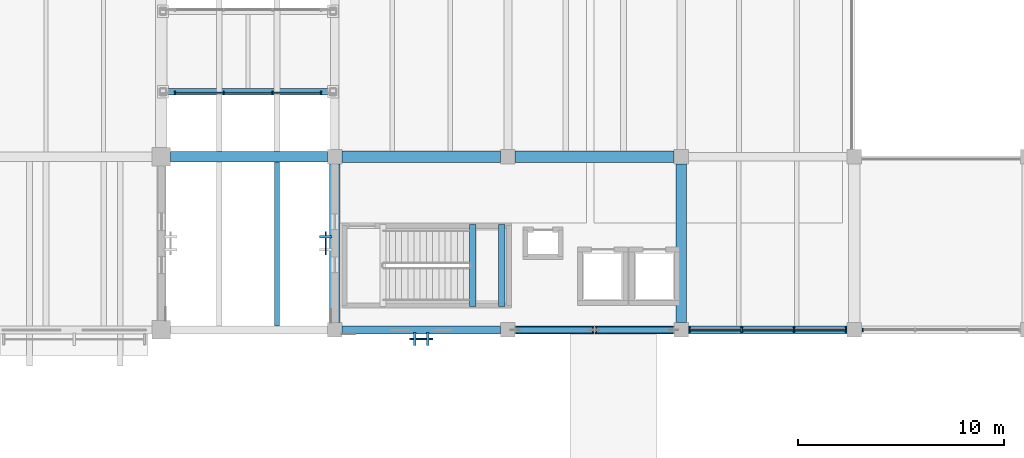
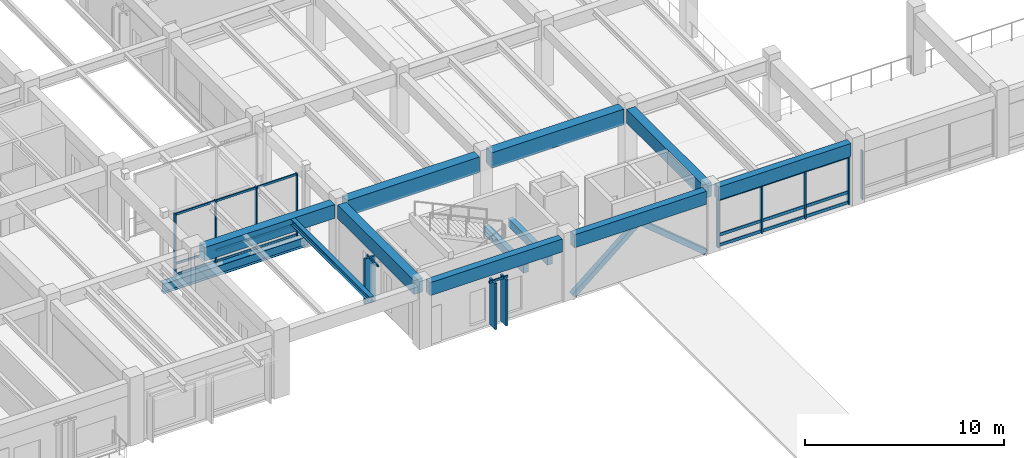
# One storey, part 47 of 132: 34 members, 12 beams, 5 elements without a shape of their own.
"""IFC4 building model written with IfcOpenShell, lengths in metres."""

from ifc_helpers import new_model, si_unit, direction, frame, origin, origin_2d, place, context, subcontext, project, spatial, rectangle, hollow_rectangle, i_section, extrude, material, material_profile, profile_set, type_object, element, aggregate, save


model = new_model("IFC4")

# Units and contexts
model_context = context("Model", 3, precision=1e-05, world=origin(), true_north=direction((0.0, 1.0)))
body_context = subcontext(model_context, "Body", "Model", "MODEL_VIEW")
ifc_project = project(units=[si_unit("LENGTHUNIT", "METRE"), si_unit("AREAUNIT", "SQUARE_METRE"), si_unit("VOLUMEUNIT", "CUBIC_METRE"), si_unit("PLANEANGLEUNIT", "RADIAN"), si_unit("MASSUNIT", "GRAM", prefix="KILO")], contexts=[model_context])

# Site, building, storey
site_placement = place(None, origin())
site = spatial("IfcSite", under=ifc_project, at=site_placement, CompositionType="ELEMENT")
building_placement = place(site_placement, origin())
building = spatial("IfcBuilding", under=site, at=building_placement, Name="Cumbredor Promenade Congress Hotel", CompositionType="ELEMENT")
storey_placement = place(building_placement, frame((0.0, 0.0, 7.56005859375)))
storey = spatial("IfcBuildingStorey", under=building, at=storey_placement, Name="L02", CompositionType="ELEMENT", Elevation=7.56005859375)

# Beams
ifc_material_1 = material(Name="Concrete C40/50", Category="concrete")
ifc_material_profile_1 = material_profile(ifc_material_1, rectangle(XDim=0.5, YDim=0.85009765625, at=origin_2d()), Name="RC BEAM 500x850")
ifc_profile_set_1 = profile_set([ifc_material_profile_1], Name="Concrete C40/50")
beam_type_1 = type_object("IfcBeamType", Name="BM-RC-500x850", PredefinedType="BEAM", material=ifc_profile_set_1)
beam_1_placement = place(storey_placement, frame((84.449951171875, 92.39990234375, 3.375), z_axis=(1.0, 0.0, 0.0), x_axis=(0.0, 1.0, 0.0)))
element("IfcBeam", 1, at=beam_1_placement, inside=storey, type_object=beam_type_1, Name="L03 X-Grid Beam 142", PredefinedType="BEAM", context=body_context, shape_type="SweptSolid", body=[
    extrude(rectangle(XDim=0.5, YDim=0.85009765625, at=origin_2d()), origin(), (0.0, 0.0, 1.0), 7.60009765625),
])
for number, where, z_axis, x_axis, name in (
    (2, (92.39990234375, 84.35009765625, 3.375), (0.0, 1.0, 0.0), (-1.0, 0.0, 0.0), "L03 Y-Grid Beam 150"),
    (3, (109.199951171875, 84.35009765625, 3.375), (0.0, 1.0, 0.0), (-1.0, 0.0, 0.0), "L03 Y-Grid Beam 166"),
):
    element("IfcBeam", number, at=place(storey_placement, frame(where, z_axis=z_axis, x_axis=x_axis)), inside=storey, type_object=beam_type_1, Name=name, PredefinedType="BEAM", context=body_context, shape_type="SweptSolid", body=[
        extrude(rectangle(XDim=0.5, YDim=0.85009765625, at=origin_2d()), origin(), (0.0, 0.0, 1.0), 7.699951171875),
    ])
ifc_material_profile_2 = material_profile(ifc_material_1, rectangle(XDim=0.550048828125, YDim=0.949951171875, at=origin_2d()), Name="RC BEAM 550x950")
ifc_profile_set_2 = profile_set([ifc_material_profile_2], Name="Concrete C40/50")
beam_type_2 = type_object("IfcBeamType", Name="BM-RC-550x950", PredefinedType="BEAM", material=ifc_profile_set_2)
beam_2_placement = place(storey_placement, frame((92.75, 92.39990234375, 3.324951171875), z_axis=(1.0, 0.0, 0.0), x_axis=(0.0, 1.0, 0.0)))
element("IfcBeam", 4, at=beam_2_placement, inside=storey, type_object=beam_type_2, Name="L03 X-Grid Beam 151", PredefinedType="BEAM", context=body_context, shape_type="SweptSolid", body=[
    extrude(rectangle(XDim=0.550048828125, YDim=0.949951171875, at=origin_2d()), origin(), (0.0, 0.0, 1.0), 7.699951171875),
])
beam_3_placement = place(storey_placement, frame((101.14990234375, 92.39990234375, 3.324951171875), z_axis=(1.0, 0.0, 0.0), x_axis=(0.0, 1.0, 0.0)))
element("IfcBeam", 5, at=beam_3_placement, inside=storey, type_object=beam_type_2, Name="L03 X-Grid Beam 159", PredefinedType="BEAM", context=body_context, shape_type="SweptSolid", body=[
    extrude(rectangle(XDim=0.550048828125, YDim=0.949951171875, at=origin_2d()), origin(), (0.0, 0.0, 1.0), 7.7001953125),
])
ifc_material_2 = material(Name="Steel ASTM A992 Grade 50", Category="steel")
ifc_material_profile_3 = material_profile(ifc_material_2, i_section(OverallWidth=0.323974609375, OverallDepth=0.611083984375, WebThickness=0.0126953125, FlangeThickness=0.01904296875, at=origin_2d()), Name="W24X104")
ifc_profile_set_3 = profile_set([ifc_material_profile_3], Name="Steel ASTM A992 Grade 50")
beam_type_3 = type_object("IfcBeamType", Name="BM-W24X104", PredefinedType="BEAM", material=ifc_profile_set_3)
beam_4_placement = place(storey_placement, frame((83.9599609375, 95.550048828125, -0.525634765625), z_axis=(1.0, 0.0, 0.0), x_axis=(0.0, 1.0, 0.0)))
element("IfcBeam", 6, at=beam_4_placement, inside=storey, type_object=beam_type_3, Name="L02 North Hotel-to-Forum Glazed Bridge Edge Girder 1", PredefinedType="BEAM", context=body_context, shape_type="SweptSolid", body=[
    extrude(i_section(OverallWidth=0.323974609375, OverallDepth=0.611083984375, WebThickness=0.0126953125, FlangeThickness=0.01904296875, at=origin_2d()), origin(), (0.0, 0.0, 1.0), 8.47998046875),
])

# Curtain wall, member
ifc_material_3 = material(Name="Thermally broken anodized aluminium and low-E glass", Category="aluminium")
curtain_wall_type_1 = type_object("IfcCurtainWallType", Name="Unitised Forum Curtain Wall CW-02", PredefinedType="NOTDEFINED", material=ifc_material_3)
curtain_wall_1_placement = place(storey_placement, origin())
curtain_wall_1 = element("IfcCurtainWall", 7, at=curtain_wall_1_placement, inside=storey, type_object=curtain_wall_type_1, Name="L02 Pre-Function and Breakout Meeting Forum South Curtain Wall 4", PredefinedType="NOTDEFINED")
ifc_material_4 = material(Name="Thermally broken anodized aluminium", Category="aluminium")
ifc_material_profile_4 = material_profile(ifc_material_4, rectangle(XDim=0.06494140625, YDim=0.159912109375, at=origin_2d()), Name="ALU MULLION 65x160")
ifc_profile_set_4 = profile_set([ifc_material_profile_4], Name="Thermally broken anodized aluminium")
member_type_1 = type_object("IfcMemberType", Name="Curtain Wall Mullion ML-01", PredefinedType="MULLION", material=ifc_profile_set_4)
member_1_placement = place(storey_placement, frame((118.0048828125, 84.0, -0.008056640625), z_axis=(0.0, 0.0, 1.0), x_axis=(1.0, 0.0, 0.0)))
member_1 = element("IfcMember", 8, at=member_1_placement, type_object=member_type_1, Name="L02 Pre-Function and Breakout Meeting Forum South Curtain Wall 4 Mullion 1", PredefinedType="MULLION", context=body_context, shape_type="SweptSolid", body=[
    extrude(rectangle(XDim=0.06494140625, YDim=0.159912109375, at=origin_2d()), origin(), (0.0, 0.0, 1.0), 3.0009765625),
])
aggregate(curtain_wall_1, [member_1])

# Curtain wall, members
curtain_wall_type_2 = type_object("IfcCurtainWallType", Name="Unitised Bridge Glazing Screen CW-05", PredefinedType="NOTDEFINED", material=ifc_material_3)
curtain_wall_2_placement = place(storey_placement, origin())
curtain_wall_2 = element("IfcCurtainWall", 9, at=curtain_wall_2_placement, inside=storey, type_object=curtain_wall_type_2, Name="L02 North Hotel-to-Forum Glazed Bridge South Glazing Screen", PredefinedType="NOTDEFINED")
member_2_placement = place(storey_placement, frame((84.659912109375, 95.47998046875, -0.008056640625), z_axis=(0.0, 0.0, 1.0), x_axis=(1.0, 0.0, 0.0)))
member_2 = element("IfcMember", 10, at=member_2_placement, type_object=member_type_1, Name="L02 North Hotel-to-Forum Glazed Bridge South Glazing Screen Mullion 1", PredefinedType="MULLION", context=body_context, shape_type="SweptSolid", body=[
    extrude(rectangle(XDim=0.06494140625, YDim=0.159912109375, at=origin_2d()), origin(), (0.0, 0.0, 1.0), 3.8359375),
])
member_3_placement = place(storey_placement, frame((87.02001953125, 95.47998046875, -0.008056640625), z_axis=(0.0, 0.0, 1.0), x_axis=(1.0, 0.0, 0.0)))
member_3 = element("IfcMember", 11, at=member_3_placement, type_object=member_type_1, Name="L02 North Hotel-to-Forum Glazed Bridge South Glazing Screen Mullion 2", PredefinedType="MULLION", context=body_context, shape_type="SweptSolid", body=[
    extrude(rectangle(XDim=0.06494140625, YDim=0.159912109375, at=origin_2d()), origin(), (0.0, 0.0, 1.0), 3.8359375),
])
member_4_placement = place(storey_placement, frame((89.3798828125, 95.47998046875, -0.008056640625), z_axis=(0.0, 0.0, 1.0), x_axis=(1.0, 0.0, 0.0)))
member_4 = element("IfcMember", 12, at=member_4_placement, type_object=member_type_1, Name="L02 North Hotel-to-Forum Glazed Bridge South Glazing Screen Mullion 3", PredefinedType="MULLION", context=body_context, shape_type="SweptSolid", body=[
    extrude(rectangle(XDim=0.06494140625, YDim=0.159912109375, at=origin_2d()), origin(), (0.0, 0.0, 1.0), 3.8359375),
])
member_5_placement = place(storey_placement, frame((91.739990234375, 95.47998046875, -0.008056640625), z_axis=(0.0, 0.0, 1.0), x_axis=(1.0, 0.0, 0.0)))
member_5 = element("IfcMember", 13, at=member_5_placement, type_object=member_type_1, Name="L02 North Hotel-to-Forum Glazed Bridge South Glazing Screen Mullion 4", PredefinedType="MULLION", context=body_context, shape_type="SweptSolid", body=[
    extrude(rectangle(XDim=0.06494140625, YDim=0.159912109375, at=origin_2d()), origin(), (0.0, 0.0, 1.0), 3.8359375),
])

curtain_wall_3_placement = place(storey_placement, origin())
curtain_wall_3 = element("IfcCurtainWall", 14, at=curtain_wall_3_placement, inside=storey, type_object=curtain_wall_type_1, Name="L02 Pre-Function and Breakout Meeting Forum South Curtain Wall 3", PredefinedType="NOTDEFINED")
ifc_material_profile_5 = material_profile(ifc_material_4, rectangle(XDim=0.080078125, YDim=0.239990234375, at=origin_2d()), Name="ALU MULLION 80x240")
ifc_profile_set_5 = profile_set([ifc_material_profile_5], Name="Thermally broken anodized aluminium")
member_type_2 = type_object("IfcMemberType", Name="Curtain Wall Mullion ML-03", PredefinedType="MULLION", material=ifc_profile_set_5)
member_6_placement = place(storey_placement, frame((109.60498046875, 84.0, -0.008056640625), z_axis=(0.0, 0.0, 1.0), x_axis=(1.0, 0.0, 0.0)))
member_6 = element("IfcMember", 15, at=member_6_placement, type_object=member_type_2, Name="L02 Pre-Function and Breakout Meeting Forum South Curtain Wall 3 Mullion 1", PredefinedType="MULLION", context=body_context, shape_type="SweptSolid", body=[
    extrude(rectangle(XDim=0.080078125, YDim=0.239990234375, at=origin_2d()), origin(), (0.0, 0.0, 1.0), 3.0009765625),
])
member_7_placement = place(storey_placement, frame((112.135009765625, 84.0, -0.008056640625), z_axis=(0.0, 0.0, 1.0), x_axis=(1.0, 0.0, 0.0)))
member_7 = element("IfcMember", 16, at=member_7_placement, type_object=member_type_2, Name="L02 Pre-Function and Breakout Meeting Forum South Curtain Wall 3 Mullion 2", PredefinedType="MULLION", context=body_context, shape_type="SweptSolid", body=[
    extrude(rectangle(XDim=0.080078125, YDim=0.239990234375, at=origin_2d()), origin(), (0.0, 0.0, 1.0), 3.0009765625),
])
member_8_placement = place(storey_placement, frame((114.6650390625, 84.0, -0.008056640625), z_axis=(0.0, 0.0, 1.0), x_axis=(1.0, 0.0, 0.0)))
member_8 = element("IfcMember", 17, at=member_8_placement, type_object=member_type_2, Name="L02 Pre-Function and Breakout Meeting Forum South Curtain Wall 3 Mullion 3", PredefinedType="MULLION", context=body_context, shape_type="SweptSolid", body=[
    extrude(rectangle(XDim=0.080078125, YDim=0.239990234375, at=origin_2d()), origin(), (0.0, 0.0, 1.0), 3.0009765625),
])
member_9_placement = place(storey_placement, frame((117.195068359375, 84.0, -0.008056640625), z_axis=(0.0, 0.0, 1.0), x_axis=(1.0, 0.0, 0.0)))
member_9 = element("IfcMember", 18, at=member_9_placement, type_object=member_type_2, Name="L02 Pre-Function and Breakout Meeting Forum South Curtain Wall 3 Mullion 4", PredefinedType="MULLION", context=body_context, shape_type="SweptSolid", body=[
    extrude(rectangle(XDim=0.080078125, YDim=0.239990234375, at=origin_2d()), origin(), (0.0, 0.0, 1.0), 3.0009765625),
])

# Curtain wall, member
curtain_wall_type_3 = type_object("IfcCurtainWallType", Name="Solar Brise-Soleil Screen Assembly CW-07", PredefinedType="NOTDEFINED", material=ifc_material_3)
curtain_wall_4_placement = place(storey_placement, origin())
curtain_wall_4 = element("IfcCurtainWall", 19, at=curtain_wall_4_placement, inside=storey, type_object=curtain_wall_type_3, Name="L02 Pier Brise-Soleil Screen 0394", PredefinedType="NOTDEFINED")
ifc_material_profile_6 = material_profile(ifc_material_4, rectangle(XDim=0.06494140625, YDim=0.1298828125, at=origin_2d()), Name="ALU TRANSOM 65x130")
ifc_profile_set_6 = profile_set([ifc_material_profile_6], Name="Thermally broken anodized aluminium")
member_type_3 = type_object("IfcMemberType", Name="Curtain Wall Transom TR-01", PredefinedType="USERDEFINED", material=ifc_profile_set_6)
member_10_placement = place(storey_placement, frame((96.050048828125, 83.56494140625, 2.824951171875), z_axis=(1.0, 0.0, 0.0), x_axis=(0.0, 1.0, 0.0)))
member_10 = element("IfcMember", 20, at=member_10_placement, type_object=member_type_3, Name="L02 Pier Brise-Soleil Header 0396", ObjectType="TRANSOM", PredefinedType="USERDEFINED", context=body_context, shape_type="SweptSolid", body=[
    extrude(rectangle(XDim=0.06494140625, YDim=0.1298828125, at=origin_2d()), origin(), (0.0, 0.0, 1.0), 1.099853515625),
])

curtain_wall_5_placement = place(storey_placement, origin())
curtain_wall_5 = element("IfcCurtainWall", 21, at=curtain_wall_5_placement, inside=storey, type_object=curtain_wall_type_3, Name="L02 Pier Brise-Soleil Screen 0433", PredefinedType="NOTDEFINED")
member_11_placement = place(storey_placement, frame((91.965087890625, 87.64990234375, 2.77490234375), z_axis=(0.0, 1.0, 0.0), x_axis=(-1.0, 0.0, 0.0)))
member_11 = element("IfcMember", 22, at=member_11_placement, type_object=member_type_3, Name="L02 Pier Brise-Soleil Header 0435", ObjectType="TRANSOM", PredefinedType="USERDEFINED", context=body_context, shape_type="SweptSolid", body=[
    extrude(rectangle(XDim=0.06494140625, YDim=0.1298828125, at=origin_2d()), origin(), (0.0, 0.0, 1.0), 1.10009765625),
])

# Member
member_12_placement = place(storey_placement, frame((84.6923828125, 95.47998046875, 0.06005859375), z_axis=(1.0, 0.0, 0.0), x_axis=(0.0, 1.0, 0.0)))
member_12 = element("IfcMember", 23, at=member_12_placement, type_object=member_type_3, Name="L02 North Hotel-to-Forum Glazed Bridge South Glazing Screen Transom 1.1", ObjectType="TRANSOM", PredefinedType="USERDEFINED", context=body_context, shape_type="SweptSolid", body=[
    extrude(rectangle(XDim=0.06494140625, YDim=0.1298828125, at=origin_2d()), origin(), (0.0, 0.0, 1.0), 2.295166015625),
])

member_13_placement = place(storey_placement, frame((84.6923828125, 95.47998046875, 0.719970703125), z_axis=(1.0, 0.0, 0.0), x_axis=(0.0, 1.0, 0.0)))
member_13 = element("IfcMember", 24, at=member_13_placement, type_object=member_type_3, Name="L02 North Hotel-to-Forum Glazed Bridge South Glazing Screen Transom 1.2", ObjectType="TRANSOM", PredefinedType="USERDEFINED", context=body_context, shape_type="SweptSolid", body=[
    extrude(rectangle(XDim=0.06494140625, YDim=0.1298828125, at=origin_2d()), origin(), (0.0, 0.0, 1.0), 2.295166015625),
])

member_14_placement = place(storey_placement, frame((84.6923828125, 95.47998046875, 3.760009765625), z_axis=(1.0, 0.0, 0.0), x_axis=(0.0, 1.0, 0.0)))
member_14 = element("IfcMember", 25, at=member_14_placement, type_object=member_type_3, Name="L02 North Hotel-to-Forum Glazed Bridge South Glazing Screen Transom 1.3", ObjectType="TRANSOM", PredefinedType="USERDEFINED", context=body_context, shape_type="SweptSolid", body=[
    extrude(rectangle(XDim=0.06494140625, YDim=0.1298828125, at=origin_2d()), origin(), (0.0, 0.0, 1.0), 2.295166015625),
])

member_15_placement = place(storey_placement, frame((87.052490234375, 95.47998046875, 0.06005859375), z_axis=(1.0, 0.0, 0.0), x_axis=(0.0, 1.0, 0.0)))
member_15 = element("IfcMember", 26, at=member_15_placement, type_object=member_type_3, Name="L02 North Hotel-to-Forum Glazed Bridge South Glazing Screen Transom 2.1", ObjectType="TRANSOM", PredefinedType="USERDEFINED", context=body_context, shape_type="SweptSolid", body=[
    extrude(rectangle(XDim=0.06494140625, YDim=0.1298828125, at=origin_2d()), origin(), (0.0, 0.0, 1.0), 2.294921875),
])

member_16_placement = place(storey_placement, frame((87.052490234375, 95.47998046875, 0.719970703125), z_axis=(1.0, 0.0, 0.0), x_axis=(0.0, 1.0, 0.0)))
member_16 = element("IfcMember", 27, at=member_16_placement, type_object=member_type_3, Name="L02 North Hotel-to-Forum Glazed Bridge South Glazing Screen Transom 2.2", ObjectType="TRANSOM", PredefinedType="USERDEFINED", context=body_context, shape_type="SweptSolid", body=[
    extrude(rectangle(XDim=0.06494140625, YDim=0.1298828125, at=origin_2d()), origin(), (0.0, 0.0, 1.0), 2.294921875),
])

member_17_placement = place(storey_placement, frame((87.052490234375, 95.47998046875, 3.760009765625), z_axis=(1.0, 0.0, 0.0), x_axis=(0.0, 1.0, 0.0)))
member_17 = element("IfcMember", 28, at=member_17_placement, type_object=member_type_3, Name="L02 North Hotel-to-Forum Glazed Bridge South Glazing Screen Transom 2.3", ObjectType="TRANSOM", PredefinedType="USERDEFINED", context=body_context, shape_type="SweptSolid", body=[
    extrude(rectangle(XDim=0.06494140625, YDim=0.1298828125, at=origin_2d()), origin(), (0.0, 0.0, 1.0), 2.294921875),
])

member_18_placement = place(storey_placement, frame((89.41259765625, 95.47998046875, 0.06005859375), z_axis=(1.0, 0.0, 0.0), x_axis=(0.0, 1.0, 0.0)))
member_18 = element("IfcMember", 29, at=member_18_placement, type_object=member_type_3, Name="L02 North Hotel-to-Forum Glazed Bridge South Glazing Screen Transom 3.1", ObjectType="TRANSOM", PredefinedType="USERDEFINED", context=body_context, shape_type="SweptSolid", body=[
    extrude(rectangle(XDim=0.06494140625, YDim=0.1298828125, at=origin_2d()), origin(), (0.0, 0.0, 1.0), 2.294921875),
])

member_19_placement = place(storey_placement, frame((89.41259765625, 95.47998046875, 0.719970703125), z_axis=(1.0, 0.0, 0.0), x_axis=(0.0, 1.0, 0.0)))
member_19 = element("IfcMember", 30, at=member_19_placement, type_object=member_type_3, Name="L02 North Hotel-to-Forum Glazed Bridge South Glazing Screen Transom 3.2", ObjectType="TRANSOM", PredefinedType="USERDEFINED", context=body_context, shape_type="SweptSolid", body=[
    extrude(rectangle(XDim=0.06494140625, YDim=0.1298828125, at=origin_2d()), origin(), (0.0, 0.0, 1.0), 2.294921875),
])

member_20_placement = place(storey_placement, frame((89.41259765625, 95.47998046875, 3.760009765625), z_axis=(1.0, 0.0, 0.0), x_axis=(0.0, 1.0, 0.0)))
member_20 = element("IfcMember", 31, at=member_20_placement, type_object=member_type_3, Name="L02 North Hotel-to-Forum Glazed Bridge South Glazing Screen Transom 3.3", ObjectType="TRANSOM", PredefinedType="USERDEFINED", context=body_context, shape_type="SweptSolid", body=[
    extrude(rectangle(XDim=0.06494140625, YDim=0.1298828125, at=origin_2d()), origin(), (0.0, 0.0, 1.0), 2.294921875),
])

aggregate(curtain_wall_2, [member_2, member_3, member_4, member_5, member_12, member_13, member_14, member_15, member_16, member_17, member_18, member_19, member_20])

ifc_material_profile_7 = material_profile(ifc_material_4, rectangle(XDim=0.080078125, YDim=0.179931640625, at=origin_2d()), Name="ALU TRANSOM 80x180")
ifc_profile_set_7 = profile_set([ifc_material_profile_7], Name="Thermally broken anodized aluminium")
member_type_4 = type_object("IfcMemberType", Name="Curtain Wall Transom TR-03", PredefinedType="USERDEFINED", material=ifc_profile_set_7)
member_21_placement = place(storey_placement, frame((109.64501953125, 84.0, 0.08984375), z_axis=(1.0, 0.0, 0.0), x_axis=(0.0, 1.0, 0.0)))
member_21 = element("IfcMember", 32, at=member_21_placement, type_object=member_type_4, Name="L02 Pre-Function and Breakout Meeting Forum South Curtain Wall 3 Transom 1.1", ObjectType="TRANSOM", PredefinedType="USERDEFINED", context=body_context, shape_type="SweptSolid", body=[
    extrude(rectangle(XDim=0.080078125, YDim=0.179931640625, at=origin_2d()), origin(), (0.0, 0.0, 1.0), 2.449951171875),
])

member_22_placement = place(storey_placement, frame((109.64501953125, 84.0, 0.719970703125), z_axis=(1.0, 0.0, 0.0), x_axis=(0.0, 1.0, 0.0)))
member_22 = element("IfcMember", 33, at=member_22_placement, type_object=member_type_4, Name="L02 Pre-Function and Breakout Meeting Forum South Curtain Wall 3 Transom 1.2", ObjectType="TRANSOM", PredefinedType="USERDEFINED", context=body_context, shape_type="SweptSolid", body=[
    extrude(rectangle(XDim=0.080078125, YDim=0.179931640625, at=origin_2d()), origin(), (0.0, 0.0, 1.0), 2.449951171875),
])

member_23_placement = place(storey_placement, frame((109.64501953125, 84.0, 2.89990234375), z_axis=(1.0, 0.0, 0.0), x_axis=(0.0, 1.0, 0.0)))
member_23 = element("IfcMember", 34, at=member_23_placement, type_object=member_type_4, Name="L02 Pre-Function and Breakout Meeting Forum South Curtain Wall 3 Transom 1.3", ObjectType="TRANSOM", PredefinedType="USERDEFINED", context=body_context, shape_type="SweptSolid", body=[
    extrude(rectangle(XDim=0.080078125, YDim=0.179931640625, at=origin_2d()), origin(), (0.0, 0.0, 1.0), 2.449951171875),
])

member_24_placement = place(storey_placement, frame((112.175048828125, 84.0, 0.08984375), z_axis=(1.0, 0.0, 0.0), x_axis=(0.0, 1.0, 0.0)))
member_24 = element("IfcMember", 35, at=member_24_placement, type_object=member_type_4, Name="L02 Pre-Function and Breakout Meeting Forum South Curtain Wall 3 Transom 2.1", ObjectType="TRANSOM", PredefinedType="USERDEFINED", context=body_context, shape_type="SweptSolid", body=[
    extrude(rectangle(XDim=0.080078125, YDim=0.179931640625, at=origin_2d()), origin(), (0.0, 0.0, 1.0), 2.449951171875),
])

member_25_placement = place(storey_placement, frame((112.175048828125, 84.0, 0.719970703125), z_axis=(1.0, 0.0, 0.0), x_axis=(0.0, 1.0, 0.0)))
member_25 = element("IfcMember", 36, at=member_25_placement, type_object=member_type_4, Name="L02 Pre-Function and Breakout Meeting Forum South Curtain Wall 3 Transom 2.2", ObjectType="TRANSOM", PredefinedType="USERDEFINED", context=body_context, shape_type="SweptSolid", body=[
    extrude(rectangle(XDim=0.080078125, YDim=0.179931640625, at=origin_2d()), origin(), (0.0, 0.0, 1.0), 2.449951171875),
])

member_26_placement = place(storey_placement, frame((112.175048828125, 84.0, 2.89990234375), z_axis=(1.0, 0.0, 0.0), x_axis=(0.0, 1.0, 0.0)))
member_26 = element("IfcMember", 37, at=member_26_placement, type_object=member_type_4, Name="L02 Pre-Function and Breakout Meeting Forum South Curtain Wall 3 Transom 2.3", ObjectType="TRANSOM", PredefinedType="USERDEFINED", context=body_context, shape_type="SweptSolid", body=[
    extrude(rectangle(XDim=0.080078125, YDim=0.179931640625, at=origin_2d()), origin(), (0.0, 0.0, 1.0), 2.449951171875),
])

member_27_placement = place(storey_placement, frame((114.705078125, 84.0, 0.08984375), z_axis=(1.0, 0.0, 0.0), x_axis=(0.0, 1.0, 0.0)))
member_27 = element("IfcMember", 38, at=member_27_placement, type_object=member_type_4, Name="L02 Pre-Function and Breakout Meeting Forum South Curtain Wall 3 Transom 3.1", ObjectType="TRANSOM", PredefinedType="USERDEFINED", context=body_context, shape_type="SweptSolid", body=[
    extrude(rectangle(XDim=0.080078125, YDim=0.179931640625, at=origin_2d()), origin(), (0.0, 0.0, 1.0), 2.449951171875),
])

member_28_placement = place(storey_placement, frame((114.705078125, 84.0, 0.719970703125), z_axis=(1.0, 0.0, 0.0), x_axis=(0.0, 1.0, 0.0)))
member_28 = element("IfcMember", 39, at=member_28_placement, type_object=member_type_4, Name="L02 Pre-Function and Breakout Meeting Forum South Curtain Wall 3 Transom 3.2", ObjectType="TRANSOM", PredefinedType="USERDEFINED", context=body_context, shape_type="SweptSolid", body=[
    extrude(rectangle(XDim=0.080078125, YDim=0.179931640625, at=origin_2d()), origin(), (0.0, 0.0, 1.0), 2.449951171875),
])

member_29_placement = place(storey_placement, frame((114.705078125, 84.0, 2.89990234375), z_axis=(1.0, 0.0, 0.0), x_axis=(0.0, 1.0, 0.0)))
member_29 = element("IfcMember", 40, at=member_29_placement, type_object=member_type_4, Name="L02 Pre-Function and Breakout Meeting Forum South Curtain Wall 3 Transom 3.3", ObjectType="TRANSOM", PredefinedType="USERDEFINED", context=body_context, shape_type="SweptSolid", body=[
    extrude(rectangle(XDim=0.080078125, YDim=0.179931640625, at=origin_2d()), origin(), (0.0, 0.0, 1.0), 2.449951171875),
])

aggregate(curtain_wall_3, [member_6, member_7, member_8, member_9, member_21, member_22, member_23, member_24, member_25, member_26, member_27, member_28, member_29])

# Beams
ifc_material_profile_8 = material_profile(ifc_material_2, i_section(OverallWidth=0.2548828125, OverallDepth=0.35693359375, WebThickness=0.010498046875, FlangeThickness=0.018310546875, at=origin_2d()), Name="W14X68")
ifc_profile_set_8 = profile_set([ifc_material_profile_8], Name="Steel ASTM A992 Grade 50")
beam_type_4 = type_object("IfcBeamType", Name="JST-W14X68", PredefinedType="JOIST", material=ifc_profile_set_8)
beam_5_placement = place(storey_placement, frame((89.60009765625, 84.199951171875, 3.621337890625), z_axis=(0.0, 1.0, 0.0), x_axis=(-1.0, 0.0, 0.0)))
element("IfcBeam", 41, at=beam_5_placement, inside=storey, type_object=beam_type_4, Name="L03 Secondary Floor Joist 0083", PredefinedType="JOIST", context=body_context, shape_type="SweptSolid", body=[
    extrude(i_section(OverallWidth=0.2548828125, OverallDepth=0.35693359375, WebThickness=0.010498046875, FlangeThickness=0.018310546875, at=origin_2d()), origin(), (0.0, 0.0, 1.0), 7.949951171875),
])
ifc_material_profile_9 = material_profile(ifc_material_1, rectangle(XDim=0.300048828125, YDim=0.5, at=origin_2d()), Name="RC LINTEL 300x500")
ifc_profile_set_9 = profile_set([ifc_material_profile_9], Name="Concrete C40/50")
beam_type_5 = type_object("IfcBeamType", Name="LN-RC-300x500", PredefinedType="LINTEL", material=ifc_profile_set_9)
for number, where, z_axis, x_axis, name in (
    (42, (100.5, 85.1298828125, 1.64990234375), (0.0, 1.0, 0.0), (-1.0, 0.0, 0.0), "L02 Stair ST-13 Landing Ledger Beam E"),
    (43, (99.10009765625, 85.1298828125, 1.64990234375), (0.0, 1.0, 0.0), (-1.0, 0.0, 0.0), "L02 Stair ST-13 Landing Ledger Beam W"),
):
    element("IfcBeam", number, at=place(storey_placement, frame(where, z_axis=z_axis, x_axis=x_axis)), inside=storey, type_object=beam_type_5, Name=name, PredefinedType="LINTEL", context=body_context, shape_type="SweptSolid", body=[
        extrude(rectangle(XDim=0.300048828125, YDim=0.5, at=origin_2d()), origin(), (0.0, 0.0, 1.0), 3.97021484375),
    ])
ifc_material_profile_10 = material_profile(ifc_material_1, rectangle(XDim=0.39990234375, YDim=0.800048828125, at=origin_2d()), Name="RC SPANDREL 400x800")
ifc_profile_set_10 = profile_set([ifc_material_profile_10], Name="Concrete C40/50")
beam_type_6 = type_object("IfcBeamType", Name="SP-RC-400x800", PredefinedType="SPANDREL", material=ifc_profile_set_10)
beam_6_placement = place(storey_placement, frame((92.75, 84.0, 3.39990234375), z_axis=(1.0, 0.0, 0.0), x_axis=(0.0, 1.0, 0.0)))
element("IfcBeam", 44, at=beam_6_placement, inside=storey, type_object=beam_type_6, Name="L03 X-Grid Beam 149", PredefinedType="SPANDREL", context=body_context, shape_type="SweptSolid", body=[
    extrude(rectangle(XDim=0.39990234375, YDim=0.800048828125, at=origin_2d()), origin(), (0.0, 0.0, 1.0), 7.699951171875),
])
beam_7_placement = place(storey_placement, frame((101.14990234375, 84.0, 3.39990234375), z_axis=(1.0, 0.0, 0.0), x_axis=(0.0, 1.0, 0.0)))
element("IfcBeam", 45, at=beam_7_placement, inside=storey, type_object=beam_type_6, Name="L03 X-Grid Beam 158", PredefinedType="SPANDREL", context=body_context, shape_type="SweptSolid", body=[
    extrude(rectangle(XDim=0.39990234375, YDim=0.800048828125, at=origin_2d()), origin(), (0.0, 0.0, 1.0), 7.7001953125),
])
beam_8_placement = place(storey_placement, frame((109.550048828125, 84.0, 3.39990234375), z_axis=(1.0, 0.0, 0.0), x_axis=(0.0, 1.0, 0.0)))
element("IfcBeam", 46, at=beam_8_placement, inside=storey, type_object=beam_type_6, Name="L03 X-Grid Beam 165", PredefinedType="SPANDREL", context=body_context, shape_type="SweptSolid", body=[
    extrude(rectangle(XDim=0.39990234375, YDim=0.800048828125, at=origin_2d()), origin(), (0.0, 0.0, 1.0), 7.699951171875),
])

# Members
ifc_material_5 = material(Name="Steel ASTM A500 Grade C", Category="steel")
ifc_material_profile_11 = material_profile(ifc_material_5, hollow_rectangle(XDim=0.300048828125, YDim=0.300048828125, WallThickness=0.01611328125, at=origin_2d()), Name="HSS 300x300x16")
ifc_profile_set_11 = profile_set([ifc_material_profile_11], Name="Steel ASTM A500 Grade C")
member_type_5 = type_object("IfcMemberType", Name="Seismic Frame Brace CBF-1", PredefinedType="BRACE", material=ifc_profile_set_11)
for number, where, z_axis, x_axis, name in (
    (47, (101.14990234375, 84.0, 0.0), (0.770035268807, 0.0, 0.63800132037), (0.0, 1.0, 0.0), "L02 Chevron Seismic Brace 20A"),
    (48, (108.85009765625, 84.0, 0.0), (-0.770035268807, 0.0, 0.63800132037), (0.0, -1.0, 0.0), "L02 Chevron Seismic Brace 20B"),
):
    element("IfcMember", number, at=place(storey_placement, frame(where, z_axis=z_axis, x_axis=x_axis)), inside=storey, type_object=member_type_5, Name=name, PredefinedType="BRACE", context=body_context, shape_type="SweptSolid", body=[
        extrude(hollow_rectangle(XDim=0.300048828125, YDim=0.300048828125, WallThickness=0.01611328125, at=origin_2d()), origin(), (0.0, 0.0, 1.0), 5.0),
    ])

# Member
ifc_material_profile_12 = material_profile(ifc_material_4, rectangle(XDim=0.110107421875, YDim=0.6201171875, at=origin_2d()), Name="ARCH FIN 110x620")
ifc_profile_set_12 = profile_set([ifc_material_profile_12], Name="Thermally broken anodized aluminium")
member_type_6 = type_object("IfcMemberType", Name="Vertical Bronze Brise-Soleil Fin BSF-02 110x620", PredefinedType="USERDEFINED", material=ifc_profile_set_12)
member_30_placement = place(storey_placement, frame((96.280029296875, 83.56494140625, 0.02001953125), z_axis=(0.0, 0.0, 1.0), x_axis=(1.0, 0.0, 0.0)))
member_30 = element("IfcMember", 49, at=member_30_placement, type_object=member_type_6, Name="L02 Pier Brise-Soleil Fin 0395", ObjectType="SOLAR FIN", PredefinedType="USERDEFINED", context=body_context, shape_type="SweptSolid", body=[
    extrude(rectangle(XDim=0.110107421875, YDim=0.6201171875, at=origin_2d()), origin(), (0.0, 0.0, 1.0), 2.844970703125),
])

member_31_placement = place(storey_placement, frame((96.919921875, 83.56494140625, 0.02001953125), z_axis=(0.0, 0.0, 1.0), x_axis=(1.0, 0.0, 0.0)))
member_31 = element("IfcMember", 50, at=member_31_placement, type_object=member_type_6, Name="L02 Pier Brise-Soleil Fin 0396", ObjectType="SOLAR FIN", PredefinedType="USERDEFINED", context=body_context, shape_type="SweptSolid", body=[
    extrude(rectangle(XDim=0.110107421875, YDim=0.6201171875, at=origin_2d()), origin(), (0.0, 0.0, 1.0), 2.844970703125),
])

aggregate(curtain_wall_4, [member_30, member_31, member_10])

member_32_placement = place(storey_placement, frame((91.965087890625, 88.52001953125, 0.02001953125), z_axis=(0.0, 0.0, 1.0), x_axis=(0.0, 1.0, 0.0)))
member_32 = element("IfcMember", 51, at=member_32_placement, type_object=member_type_6, Name="L02 Pier Brise-Soleil Fin 0435", ObjectType="SOLAR FIN", PredefinedType="USERDEFINED", context=body_context, shape_type="SweptSolid", body=[
    extrude(rectangle(XDim=0.110107421875, YDim=0.6201171875, at=origin_2d()), origin(), (0.0, 0.0, 1.0), 2.794921875),
])

aggregate(curtain_wall_5, [member_32, member_11])

save(model, "model.ifc")
